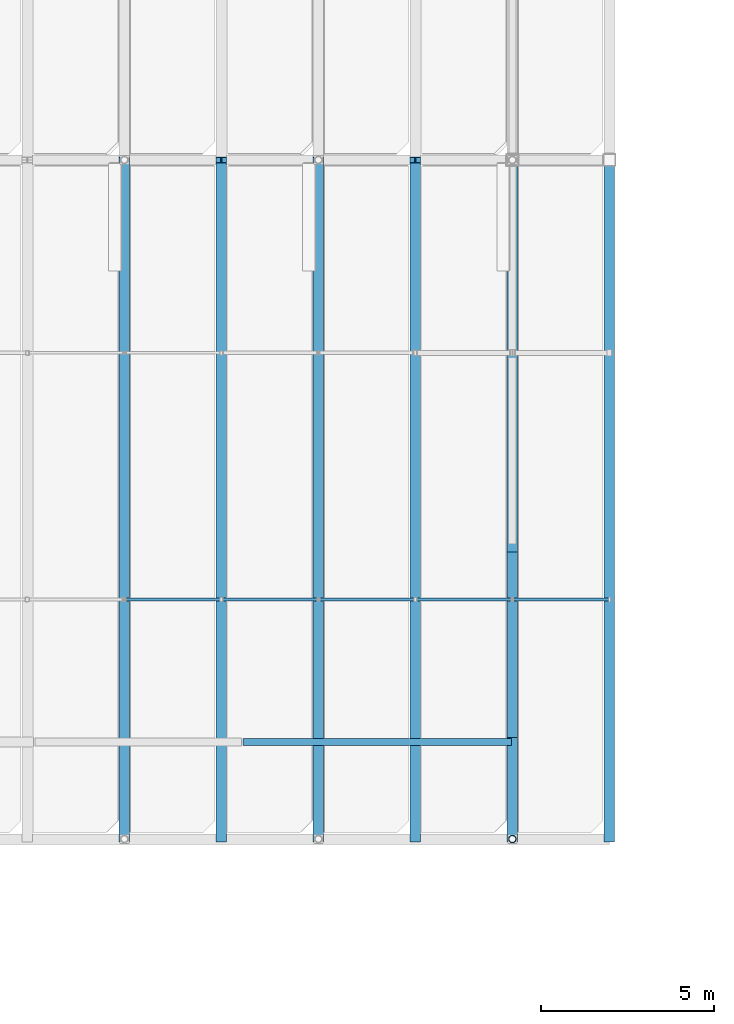
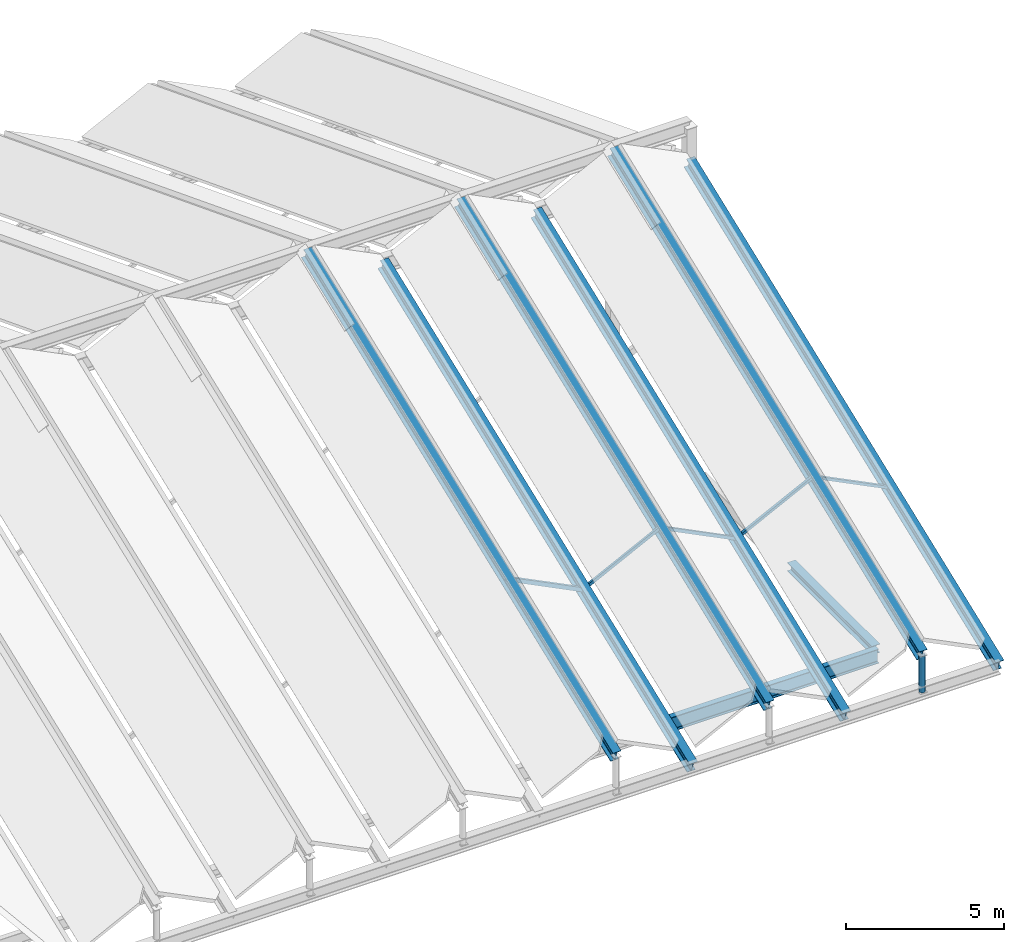
# One storey, part 14 of 49: 8 beams, 6 members.
"""IFC4 building model written with IfcOpenShell, lengths in metres."""

from ifc_helpers import new_model, si_unit, direction, frame, origin, origin_2d, place, context, subcontext, project, spatial, hollow_rectangle, hollow_circle, i_section, extrude, material, material_profile, profile_set, type_object, element, save


model = new_model("IFC4")

# Units and contexts
model_context = context("Model", 3, precision=1e-05, world=origin(), true_north=direction((0.0, 1.0)))
body_context = subcontext(model_context, "Body", "Model", "MODEL_VIEW")
ifc_project = project(units=[si_unit("LENGTHUNIT", "METRE"), si_unit("AREAUNIT", "SQUARE_METRE"), si_unit("VOLUMEUNIT", "CUBIC_METRE"), si_unit("PLANEANGLEUNIT", "RADIAN"), si_unit("MASSUNIT", "GRAM", prefix="KILO")], contexts=[model_context])

# Site, building, storey
site_placement = place(None, origin())
site = spatial("IfcSite", under=ifc_project, at=site_placement, CompositionType="ELEMENT")
building_placement = place(site_placement, origin())
building = spatial("IfcBuilding", under=site, at=building_placement, Name="Vinh Khe Railworks Police Headquarters", CompositionType="ELEMENT")
storey_placement = place(building_placement, frame((0.0, 0.0, 17.10009765625)))
storey = spatial("IfcBuildingStorey", under=building, at=storey_placement, Name="L04", CompositionType="ELEMENT", Elevation=17.10009765625)

# Members
ifc_material = material(Name="Steel S355JR", Category="steel")
ifc_material_profile_1 = material_profile(ifc_material, hollow_rectangle(XDim=0.080078125, YDim=0.1201171875, WallThickness=0.00634765625, at=origin_2d()), Name="RHS 120x80x6.3")
ifc_profile_set_1 = profile_set([ifc_material_profile_1], Name="Steel S355JR")
member_type_1 = type_object("IfcMemberType", Name="Roof Purlin RHS 120x80x6.3", PredefinedType="PURLIN", material=ifc_profile_set_1)
member_1_placement = place(storey_placement, frame((51.60009765625, 29.31396484375, 2.499755859375), z_axis=(0.894427191, 0.0, 0.4472135955), x_axis=(0.0, 1.0, 0.0)))
element("IfcMember", 1, at=member_1_placement, inside=storey, type_object=member_type_1, Name="Folded Roof Purlin 041", PredefinedType="PURLIN", context=body_context, shape_type="SweptSolid", body=[
    extrude(hollow_rectangle(XDim=0.080078125, YDim=0.1201171875, WallThickness=0.00634765625, at=origin_2d()), origin(), (0.0, 0.0, 1.0), 3.13037109375),
])
member_2_placement = place(storey_placement, frame((54.39990234375, 29.31396484375, 3.899658203125), z_axis=(0.894442788028, 0.0, -0.447182400083), x_axis=(0.0, 1.0, 0.0)))
element("IfcMember", 2, at=member_2_placement, inside=storey, type_object=member_type_1, Name="Folded Roof Purlin 045", PredefinedType="PURLIN", context=body_context, shape_type="SweptSolid", body=[
    extrude(hollow_rectangle(XDim=0.080078125, YDim=0.1201171875, WallThickness=0.00634765625, at=origin_2d()), origin(), (0.0, 0.0, 1.0), 3.130615234375),
])
ifc_material_profile_2 = material_profile(ifc_material, hollow_rectangle(XDim=0.10009765625, YDim=0.14990234375, WallThickness=0.008056640625, at=origin_2d()), Name="RHS 150x100x8")
ifc_profile_set_2 = profile_set([ifc_material_profile_2], Name="Steel S355JR")
member_type_2 = type_object("IfcMemberType", Name="Roof Purlin RHS 150x100x8", PredefinedType="PURLIN", material=ifc_profile_set_2)
member_3_placement = place(storey_placement, frame((48.800048828125, 29.31396484375, 3.884765625), z_axis=(0.894411593428, 0.0, -0.447244789285), x_axis=(0.0, 1.0, 0.0)))
element("IfcMember", 3, at=member_3_placement, inside=storey, type_object=member_type_2, Name="Folded Roof Purlin 037", PredefinedType="PURLIN", context=body_context, shape_type="SweptSolid", body=[
    extrude(hollow_rectangle(XDim=0.10009765625, YDim=0.14990234375, WallThickness=0.008056640625, at=origin_2d()), origin(), (0.0, 0.0, 1.0), 3.130615234375),
])
ifc_material_profile_3 = material_profile(ifc_material, hollow_rectangle(XDim=0.10009765625, YDim=0.10009765625, WallThickness=0.00634765625, at=origin_2d()), Name="SHS 100x100x6.3")
ifc_profile_set_3 = profile_set([ifc_material_profile_3], Name="Steel S355JR")
member_type_3 = type_object("IfcMemberType", Name="Roof Purlin SHS 100x100x6.3", PredefinedType="PURLIN", material=ifc_profile_set_3)
for number, where, z_axis, x_axis, name in (
    (4, (57.199951171875, 29.31396484375, 2.509765625), (0.894442788028, 0.0, 0.447182400083), (0.0, 1.0, 0.0), "Folded Roof Purlin 049"),
    (5, (60.0, 29.31396484375, 3.90966796875), (0.894442788028, 0.0, -0.447182400083), (0.0, 1.0, 0.0), "Folded Roof Purlin 053"),
):
    element("IfcMember", number, at=place(storey_placement, frame(where, z_axis=z_axis, x_axis=x_axis)), inside=storey, type_object=member_type_3, Name=name, PredefinedType="PURLIN", context=body_context, shape_type="SweptSolid", body=[
        extrude(hollow_rectangle(XDim=0.10009765625, YDim=0.10009765625, WallThickness=0.00634765625, at=origin_2d()), origin(), (0.0, 0.0, 1.0), 3.130615234375),
    ])
ifc_material_profile_4 = material_profile(ifc_material, hollow_circle(Radius=0.109619140625, WallThickness=0.012451171875, at=origin_2d()), Name="CHS 219.1x12.5")
ifc_profile_set_4 = profile_set([ifc_material_profile_4], Name="Steel S355JR")
member_type_4 = type_object("IfcMemberType", Name="Roof Strut CHS 219.1x12.5", PredefinedType="STRUT", material=ifc_profile_set_4)
member_4_placement = place(storey_placement, frame((60.0, 22.39990234375, -0.191162109375), z_axis=(0.0, 0.0, 1.0), x_axis=(1.0, 0.0, 0.0)))
element("IfcMember", 6, at=member_4_placement, inside=storey, type_object=member_type_4, Name="Folded Roof Strut 7S", PredefinedType="STRUT", context=body_context, shape_type="SweptSolid", body=[
    extrude(hollow_circle(Radius=0.109619140625, WallThickness=0.012451171875, at=origin_2d()), origin(), (0.0, 0.0, 1.0), 1.39990234375),
])

# Beams
ifc_material_profile_5 = material_profile(ifc_material, i_section(OverallWidth=0.300048828125, OverallDepth=0.330078125, WebThickness=0.009521484375, FlangeThickness=0.0166015625, FilletRadius=0.027099609375, at=origin_2d()), Name="HEA 340")
ifc_profile_set_5 = profile_set([ifc_material_profile_5], Name="Steel S355JR")
beam_type_1 = type_object("IfcBeamType", Name="Steel Girder HEA 340", PredefinedType="BEAM", material=ifc_profile_set_5)
beam_1_placement = place(storey_placement, frame((60.0, 25.324951171875, -0.364990234375), z_axis=(0.0, 1.0, 0.0), x_axis=(-1.0, 0.0, 0.0)))
element("IfcBeam", 7, at=beam_1_placement, inside=storey, type_object=beam_type_1, Name="Girder BM-L04-NS-SB-16-1442", PredefinedType="BEAM", context=body_context, shape_type="SweptSolid", body=[
    extrude(i_section(OverallWidth=0.300048828125, OverallDepth=0.330078125, WebThickness=0.009521484375, FlangeThickness=0.0166015625, FilletRadius=0.027099609375, at=origin_2d()), origin(), (0.0, 0.0, 1.0), 5.360107421875),
])
ifc_material_profile_6 = material_profile(ifc_material, i_section(OverallWidth=0.300048828125, OverallDepth=0.43994140625, WebThickness=0.011474609375, FlangeThickness=0.02099609375, FilletRadius=0.027099609375, at=origin_2d()), Name="HEA 450")
ifc_profile_set_6 = profile_set([ifc_material_profile_6], Name="Steel S355JR")
beam_type_2 = type_object("IfcBeamType", Name="Steel Girder HEA 450", PredefinedType="BEAM", material=ifc_profile_set_6)
for number, where, z_axis, x_axis, name in (
    (8, (48.800048828125, 22.39990234375, 1.208740234375), (0.0, 0.93236035026, 0.361530326893), (-1.0, 0.0, 0.0), "Folded Roof Ridge Girder 019 (S)"),
    (9, (54.39990234375, 22.39990234375, 1.208740234375), (0.0, 0.93236035026, 0.361530326893), (-1.0, 0.0, 0.0), "Folded Roof Ridge Girder 023 (S)"),
    (10, (60.0, 22.39990234375, 1.208740234375), (0.0, 0.93236035026, 0.361530326893), (-1.0, 0.0, 0.0), "Folded Roof Ridge Girder 027 (S)"),
):
    element("IfcBeam", number, at=place(storey_placement, frame(where, z_axis=z_axis, x_axis=x_axis)), inside=storey, type_object=beam_type_2, Name=name, PredefinedType="BEAM", context=body_context, shape_type="SweptSolid", body=[
        extrude(i_section(OverallWidth=0.300048828125, OverallDepth=0.43994140625, WebThickness=0.011474609375, FlangeThickness=0.02099609375, FilletRadius=0.027099609375, at=origin_2d()), origin(), (0.0, 0.0, 1.0), 21.02197265625),
    ])
ifc_material_profile_7 = material_profile(ifc_material, i_section(OverallWidth=0.300048828125, OverallDepth=0.449951171875, WebThickness=0.013916015625, FlangeThickness=0.02587890625, FilletRadius=0.027099609375, at=origin_2d()), Name="HEB 450")
ifc_profile_set_7 = profile_set([ifc_material_profile_7], Name="Steel S355JR")
beam_type_3 = type_object("IfcBeamType", Name="Steel Girder HEB 450", PredefinedType="BEAM", material=ifc_profile_set_7)
for number, where, z_axis, x_axis, name in (
    (11, (51.60009765625, 22.39990234375, -0.191162109375), (0.0, 0.932364264883, 0.361520231204), (-1.0, 0.0, 0.0), "Folded Roof Valley Girder 021 (S)"),
    (12, (57.199951171875, 22.39990234375, -0.191162109375), (0.0, 0.932364264883, 0.361520231204), (-1.0, 0.0, 0.0), "Folded Roof Valley Girder 025 (S)"),
    (13, (62.800048828125, 22.39990234375, -0.191162109375), (0.0, 0.932364264883, 0.361520231204), (-1.0, 0.0, 0.0), "Folded Roof Valley Girder 029 (S)"),
):
    element("IfcBeam", number, at=place(storey_placement, frame(where, z_axis=z_axis, x_axis=x_axis)), inside=storey, type_object=beam_type_3, Name=name, PredefinedType="BEAM", context=body_context, shape_type="SweptSolid", body=[
        extrude(i_section(OverallWidth=0.300048828125, OverallDepth=0.449951171875, WebThickness=0.013916015625, FlangeThickness=0.02587890625, FilletRadius=0.027099609375, at=origin_2d()), origin(), (0.0, 0.0, 1.0), 21.02197265625),
    ])
ifc_material_profile_8 = material_profile(ifc_material, i_section(OverallWidth=0.2099609375, OverallDepth=0.550048828125, WebThickness=0.010986328125, FlangeThickness=0.01708984375, FilletRadius=0.02392578125, at=origin_2d()), Name="IPE 550")
ifc_profile_set_8 = profile_set([ifc_material_profile_8], Name="Steel S355JR")
beam_type_4 = type_object("IfcBeamType", Name="Steel Girder IPE 550", PredefinedType="BEAM", material=ifc_profile_set_8)
beam_2_placement = place(storey_placement, frame((52.219970703125, 25.199951171875, -0.47509765625), z_axis=(1.0, 0.0, 0.0), x_axis=(0.0, 1.0, 0.0)))
element("IfcBeam", 14, at=beam_2_placement, inside=storey, type_object=beam_type_4, Name="Girder BM-L04-EW-SB-18-1294", PredefinedType="BEAM", context=body_context, shape_type="SweptSolid", body=[
    extrude(i_section(OverallWidth=0.2099609375, OverallDepth=0.550048828125, WebThickness=0.010986328125, FlangeThickness=0.01708984375, FilletRadius=0.02392578125, at=origin_2d()), origin(), (0.0, 0.0, 1.0), 7.760009765625),
])

save(model, "model.ifc")
